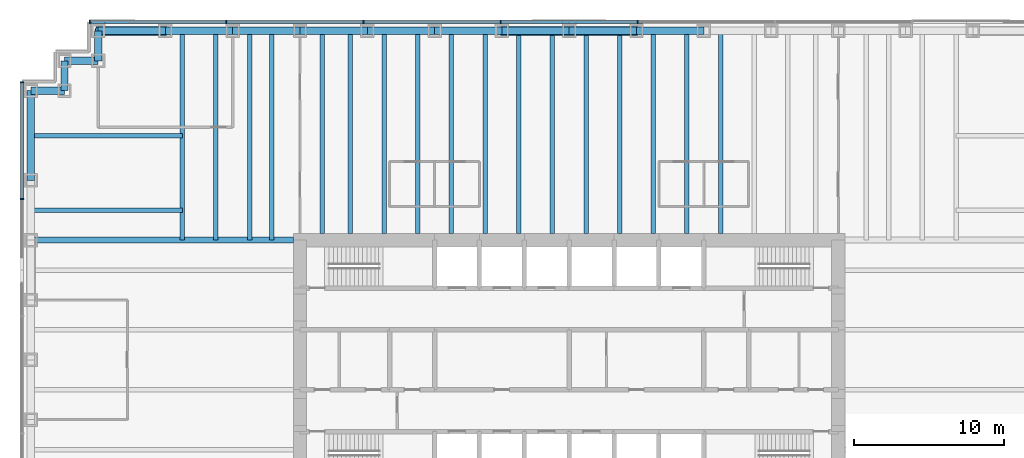
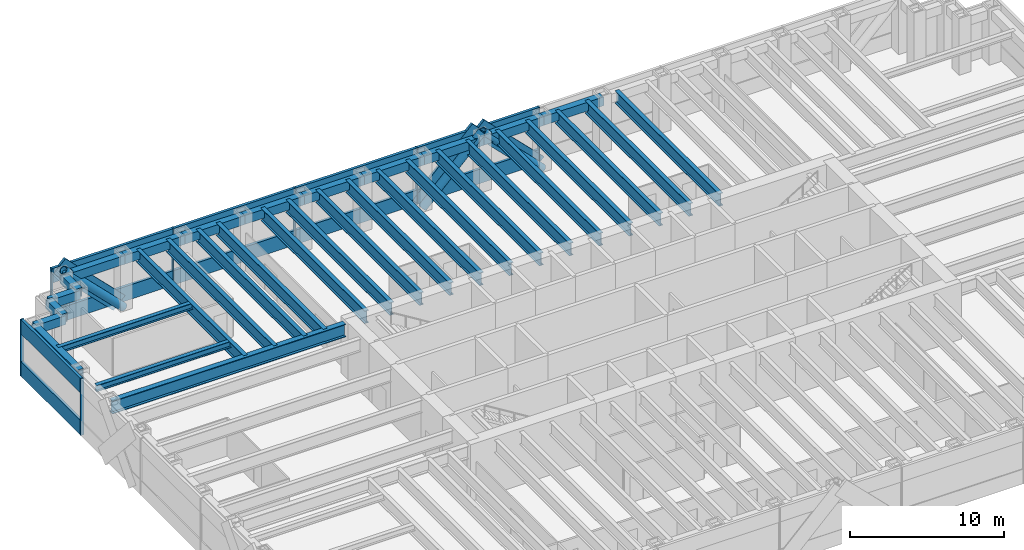
# One storey, part 5 of 13: 34 beams, 23 members, 2 elements without a shape of their own.
"""IFC4 building model written with IfcOpenShell, lengths in metres."""

from ifc_helpers import new_model, si_unit, direction, frame, origin, origin_2d, place, context, subcontext, project, spatial, rectangle, hollow_rectangle, hollow_circle, i_section, extrude, material, material_profile, profile_set, type_object, element, aggregate, save


model = new_model("IFC4")

# Units and contexts
model_context = context("Model", 3, precision=1e-05, world=origin(), true_north=direction((0.0, 1.0)))
body_context = subcontext(model_context, "Body", "Model", "MODEL_VIEW")
ifc_project = project(units=[si_unit("LENGTHUNIT", "METRE"), si_unit("AREAUNIT", "SQUARE_METRE"), si_unit("VOLUMEUNIT", "CUBIC_METRE"), si_unit("PLANEANGLEUNIT", "RADIAN"), si_unit("MASSUNIT", "GRAM", prefix="KILO")], contexts=[model_context])

# Site, building, storey
site_placement = place(None, origin())
site = spatial("IfcSite", under=ifc_project, at=site_placement, CompositionType="ELEMENT")
building_placement = place(site_placement, origin())
building = spatial("IfcBuilding", under=site, at=building_placement, Name="Rheinbord Bourse Tower", CompositionType="ELEMENT")
storey_placement = place(building_placement, frame((0.0, 0.0, 90.5)))
storey = spatial("IfcBuildingStorey", under=building, at=storey_placement, Name="L19", CompositionType="ELEMENT", Elevation=90.5)

# Beams
ifc_material_1 = material(Name="Steel S460M", Category="steel")
ifc_material_profile_1 = material_profile(ifc_material_1, hollow_rectangle(XDim=0.5, YDim=0.699951171875, WallThickness=0.0400390625, at=origin_2d()), Name="BOX 700x500x40")
ifc_profile_set_1 = profile_set([ifc_material_profile_1], Name="Steel S460M")
beam_type_1 = type_object("IfcBeamType", Name="BELT CHORD BOX 700x500x40", PredefinedType="SPANDREL", material=ifc_profile_set_1)
for number, where, z_axis, x_axis, name in (
    (1, (45.0, 46.0, 3.89990234375), (-1.0, 0.0, 0.0), (0.0, -1.0, 0.0), "Spandrel N-45-N-40.5 under L20"),
    (2, (40.5, 46.0, 3.89990234375), (-1.0, 0.0, 0.0), (0.0, -1.0, 0.0), "Spandrel N-40.5-N-36 under L20"),
    (3, (36.0, 46.0, 3.89990234375), (-1.0, 0.0, 0.0), (0.0, -1.0, 0.0), "Spandrel N-36-N-31.5 under L20"),
    (4, (31.5, 46.0, 3.89990234375), (-1.0, 0.0, 0.0), (0.0, -1.0, 0.0), "Spandrel N-31.5-N-27 under L20"),
    (5, (27.0, 46.0, 3.89990234375), (-1.0, 0.0, 0.0), (0.0, -1.0, 0.0), "Spandrel N-27-N-22.5 under L20"),
    (6, (22.5, 46.0, 3.89990234375), (-1.0, 0.0, 0.0), (0.0, -1.0, 0.0), "Spandrel N-22.5-N-18 under L20"),
    (7, (18.0, 46.0, 3.89990234375), (-1.0, 0.0, 0.0), (0.0, -1.0, 0.0), "Spandrel N-18-N-13.5 under L20"),
    (8, (13.5, 46.0, 3.89990234375), (-1.0, 0.0, 0.0), (0.0, -1.0, 0.0), "Spandrel N-13.5-N-9 under L20"),
    (9, (9.0, 46.0, 3.89990234375), (-1.0, 0.0, 0.0), (0.0, -1.0, 0.0), "Spandrel N-9-NW-E under L20"),
):
    element("IfcBeam", number, at=place(storey_placement, frame(where, z_axis=z_axis, x_axis=x_axis)), inside=storey, type_object=beam_type_1, Name=name, PredefinedType="SPANDREL", context=body_context, shape_type="SweptSolid", body=[
        extrude(hollow_rectangle(XDim=0.5, YDim=0.699951171875, WallThickness=0.0400390625, at=origin_2d()), origin(), (0.0, 0.0, 1.0), 4.5),
    ])
beam_1_placement = place(storey_placement, frame((4.5, 46.0, 3.89990234375), z_axis=(0.0, -1.0, 0.0), x_axis=(1.0, 0.0, 0.0)))
element("IfcBeam", 10, at=beam_1_placement, inside=storey, type_object=beam_type_1, Name="Spandrel NW-E-NW-D under L20", PredefinedType="SPANDREL", context=body_context, shape_type="SweptSolid", body=[
    extrude(hollow_rectangle(XDim=0.5, YDim=0.699951171875, WallThickness=0.0400390625, at=origin_2d()), origin(), (0.0, 0.0, 1.0), 2.0),
])
beam_2_placement = place(storey_placement, frame((4.5, 44.0, 3.89990234375), z_axis=(-1.0, 0.0, 0.0), x_axis=(0.0, -1.0, 0.0)))
element("IfcBeam", 11, at=beam_2_placement, inside=storey, type_object=beam_type_1, Name="Spandrel NW-D-NW-C under L20", PredefinedType="SPANDREL", context=body_context, shape_type="SweptSolid", body=[
    extrude(hollow_rectangle(XDim=0.5, YDim=0.699951171875, WallThickness=0.0400390625, at=origin_2d()), origin(), (0.0, 0.0, 1.0), 2.25),
])
beam_3_placement = place(storey_placement, frame((2.25, 44.0, 3.89990234375), z_axis=(0.0, -1.0, 0.0), x_axis=(1.0, 0.0, 0.0)))
element("IfcBeam", 12, at=beam_3_placement, inside=storey, type_object=beam_type_1, Name="Spandrel NW-C-NW-B under L20", PredefinedType="SPANDREL", context=body_context, shape_type="SweptSolid", body=[
    extrude(hollow_rectangle(XDim=0.5, YDim=0.699951171875, WallThickness=0.0400390625, at=origin_2d()), origin(), (0.0, 0.0, 1.0), 2.0),
])
beam_4_placement = place(storey_placement, frame((2.25, 42.0, 3.89990234375), z_axis=(-1.0, 0.0, 0.0), x_axis=(0.0, -1.0, 0.0)))
element("IfcBeam", 13, at=beam_4_placement, inside=storey, type_object=beam_type_1, Name="Spandrel NW-B-NW-A under L20", PredefinedType="SPANDREL", context=body_context, shape_type="SweptSolid", body=[
    extrude(hollow_rectangle(XDim=0.5, YDim=0.699951171875, WallThickness=0.0400390625, at=origin_2d()), origin(), (0.0, 0.0, 1.0), 2.25),
])
beam_5_placement = place(storey_placement, frame((0.0, 42.0, 3.89990234375), z_axis=(0.0, -1.0, 0.0), x_axis=(1.0, 0.0, 0.0)))
element("IfcBeam", 14, at=beam_5_placement, inside=storey, type_object=beam_type_1, Name="Spandrel NW-A-W-36 under L20", PredefinedType="SPANDREL", context=body_context, shape_type="SweptSolid", body=[
    extrude(hollow_rectangle(XDim=0.5, YDim=0.699951171875, WallThickness=0.0400390625, at=origin_2d()), origin(), (0.0, 0.0, 1.0), 6.0),
])

# Curtain wall, members
ifc_material_2 = material(Name="Dark glass and black aluminium", Category="aluminium")
curtain_wall_type = type_object("IfcCurtainWallType", Name="CW5 DARK GLASS CURTAIN WALL", PredefinedType="USERDEFINED", material=ifc_material_2)
curtain_wall_1_placement = place(storey_placement, origin())
curtain_wall_1 = element("IfcCurtainWall", 15, at=curtain_wall_1_placement, inside=storey, type_object=curtain_wall_type, Name="Curtain wall CW5 N L19", ObjectType="UNITISED CURTAIN WALL", PredefinedType="USERDEFINED")
ifc_material_3 = material(Name="Black anodised aluminium", Category="aluminium")
ifc_material_profile_2 = material_profile(ifc_material_3, rectangle(XDim=0.199951171875, YDim=1.259033203125, at=origin_2d()), Name="CW5 DIAGONAL MULLION 1259x200")
ifc_profile_set_2 = profile_set([ifc_material_profile_2], Name="Black anodised aluminium")
member_type_1 = type_object("IfcMemberType", Name="CW5 BLACK DIAGONAL MULLION", PredefinedType="USERDEFINED", material=ifc_profile_set_2)
member_1_placement = place(storey_placement, frame((40.5, 46.60009765625, 0.0), z_axis=(-0.707106781187, 0.0, 0.707106781187), x_axis=(0.0, -1.0, 0.0)))
member_1 = element("IfcMember", 16, at=member_1_placement, type_object=member_type_1, Name="CW5 diagonal mullion a", ObjectType="DIAGONAL MULLION", PredefinedType="USERDEFINED", context=body_context, shape_type="SweptSolid", body=[
    extrude(rectangle(XDim=0.199951171875, YDim=1.259033203125, at=origin_2d()), origin(), (0.0, 0.0, 1.0), 6.364013671875),
])
member_2_placement = place(storey_placement, frame((31.5, 46.60009765625, 0.0), z_axis=(0.707106781187, 0.0, 0.707106781187), x_axis=(0.0, 1.0, 0.0)))
member_2 = element("IfcMember", 17, at=member_2_placement, type_object=member_type_1, Name="CW5 diagonal mullion b", ObjectType="DIAGONAL MULLION", PredefinedType="USERDEFINED", context=body_context, shape_type="SweptSolid", body=[
    extrude(rectangle(XDim=0.199951171875, YDim=1.259033203125, at=origin_2d()), origin(), (0.0, 0.0, 1.0), 6.364013671875),
])
member_3_placement = place(storey_placement, frame((9.0, 46.60009765625, 0.0), z_axis=(-0.707106781187, 0.0, 0.707106781187), x_axis=(0.0, -1.0, 0.0)))
member_3 = element("IfcMember", 18, at=member_3_placement, type_object=member_type_1, Name="CW5 diagonal mullion c", ObjectType="DIAGONAL MULLION", PredefinedType="USERDEFINED", context=body_context, shape_type="SweptSolid", body=[
    extrude(rectangle(XDim=0.199951171875, YDim=1.259033203125, at=origin_2d()), origin(), (0.0, 0.0, 1.0), 6.364013671875),
])
ifc_material_4 = material(Name="Black anodised aluminium", Category="aluminium")
ifc_material_profile_3 = material_profile(ifc_material_4, rectangle(XDim=0.25, YDim=0.080078125, at=origin_2d()), Name="CW5 MULLION 80x250")
ifc_profile_set_3 = profile_set([ifc_material_profile_3], Name="Black anodised aluminium")
member_type_2 = type_object("IfcMemberType", Name="CW5 BLACK MULLION", PredefinedType="MULLION", material=ifc_profile_set_3)
member_4_placement = place(storey_placement, frame((40.585693359375, 46.60009765625, 0.0), z_axis=(0.0, 0.0, 1.0), x_axis=(0.0, -1.0, 0.0)))
member_4 = element("IfcMember", 19, at=member_4_placement, type_object=member_type_2, Name="CW5 mullion 4", PredefinedType="MULLION", context=body_context, shape_type="SweptSolid", body=[
    extrude(rectangle(XDim=0.25, YDim=0.080078125, at=origin_2d()), origin(), (0.0, 0.0, 1.0), 4.5),
])
member_5_placement = place(storey_placement, frame((31.414306640625, 46.60009765625, 0.0), z_axis=(0.0, 0.0, 1.0), x_axis=(0.0, -1.0, 0.0)))
member_5 = element("IfcMember", 20, at=member_5_placement, type_object=member_type_2, Name="CW5 mullion 5", PredefinedType="MULLION", context=body_context, shape_type="SweptSolid", body=[
    extrude(rectangle(XDim=0.25, YDim=0.080078125, at=origin_2d()), origin(), (0.0, 0.0, 1.0), 4.5),
])
member_6_placement = place(storey_placement, frame((22.242919921875, 46.60009765625, 0.0), z_axis=(0.0, 0.0, 1.0), x_axis=(0.0, -1.0, 0.0)))
member_6 = element("IfcMember", 21, at=member_6_placement, type_object=member_type_2, Name="CW5 mullion 6", PredefinedType="MULLION", context=body_context, shape_type="SweptSolid", body=[
    extrude(rectangle(XDim=0.25, YDim=0.080078125, at=origin_2d()), origin(), (0.0, 0.0, 1.0), 4.5),
])
member_7_placement = place(storey_placement, frame((13.071533203125, 46.60009765625, 0.0), z_axis=(0.0, 0.0, 1.0), x_axis=(0.0, -1.0, 0.0)))
member_7 = element("IfcMember", 22, at=member_7_placement, type_object=member_type_2, Name="CW5 mullion 7", PredefinedType="MULLION", context=body_context, shape_type="SweptSolid", body=[
    extrude(rectangle(XDim=0.25, YDim=0.080078125, at=origin_2d()), origin(), (0.0, 0.0, 1.0), 4.5),
])
member_8_placement = place(storey_placement, frame((3.93994140625, 46.60009765625, 0.0), z_axis=(0.0, 0.0, 1.0), x_axis=(0.0, -1.0, 0.0)))
member_8 = element("IfcMember", 23, at=member_8_placement, type_object=member_type_2, Name="CW5 mullion 8", PredefinedType="MULLION", context=body_context, shape_type="SweptSolid", body=[
    extrude(rectangle(XDim=0.25, YDim=0.080078125, at=origin_2d()), origin(), (0.0, 0.0, 1.0), 4.5),
])

curtain_wall_2_placement = place(storey_placement, origin())
curtain_wall_2 = element("IfcCurtainWall", 24, at=curtain_wall_2_placement, inside=storey, type_object=curtain_wall_type, Name="Curtain wall CW5 W L19", ObjectType="UNITISED CURTAIN WALL", PredefinedType="USERDEFINED")
member_9_placement = place(storey_placement, frame((-0.60009765625, 42.56005859375, 0.0), z_axis=(0.0, 0.0, 1.0), x_axis=(1.0, 0.0, 0.0)))
member_9 = element("IfcMember", 25, at=member_9_placement, type_object=member_type_2, Name="CW5 mullion 1", PredefinedType="MULLION", context=body_context, shape_type="SweptSolid", body=[
    extrude(rectangle(XDim=0.25, YDim=0.080078125, at=origin_2d()), origin(), (0.0, 0.0, 1.0), 4.5),
])
member_10_placement = place(storey_placement, frame((-0.60009765625, 34.760009765625, 0.0), z_axis=(0.0, 0.0, 1.0), x_axis=(1.0, 0.0, 0.0)))
member_10 = element("IfcMember", 26, at=member_10_placement, type_object=member_type_2, Name="CW5 mullion 2", PredefinedType="MULLION", context=body_context, shape_type="SweptSolid", body=[
    extrude(rectangle(XDim=0.25, YDim=0.080078125, at=origin_2d()), origin(), (0.0, 0.0, 1.0), 4.5),
])

# Member
ifc_material_5 = material(Name="Black anodised aluminium", Category="aluminium")
ifc_material_profile_4 = material_profile(ifc_material_5, rectangle(XDim=0.199951171875, YDim=1.14990234375, at=origin_2d()), Name="CW5 TRANSOM 1150x200")
ifc_profile_set_4 = profile_set([ifc_material_profile_4], Name="Black anodised aluminium")
member_type_3 = type_object("IfcMemberType", Name="CW5 BLACK TRANSOM", PredefinedType="USERDEFINED", material=ifc_profile_set_4)
member_11_placement = place(storey_placement, frame((40.545654296875, 46.60009765625, 0.574951171875), z_axis=(-1.0, 0.0, 0.0), x_axis=(0.0, -1.0, 0.0)))
member_11 = element("IfcMember", 27, at=member_11_placement, type_object=member_type_3, Name="CW5 transom 4.1", ObjectType="TRANSOM", PredefinedType="USERDEFINED", context=body_context, shape_type="SweptSolid", body=[
    extrude(rectangle(XDim=0.199951171875, YDim=1.14990234375, at=origin_2d()), origin(), (0.0, 0.0, 1.0), 9.09130859375),
])

member_12_placement = place(storey_placement, frame((40.545654296875, 46.60009765625, 3.925048828125), z_axis=(-1.0, 0.0, 0.0), x_axis=(0.0, -1.0, 0.0)))
member_12 = element("IfcMember", 28, at=member_12_placement, type_object=member_type_3, Name="CW5 transom 4.2", ObjectType="TRANSOM", PredefinedType="USERDEFINED", context=body_context, shape_type="SweptSolid", body=[
    extrude(rectangle(XDim=0.199951171875, YDim=1.14990234375, at=origin_2d()), origin(), (0.0, 0.0, 1.0), 9.09130859375),
])

member_13_placement = place(storey_placement, frame((31.374267578125, 46.60009765625, 0.574951171875), z_axis=(-1.0, 0.0, 0.0), x_axis=(0.0, -1.0, 0.0)))
member_13 = element("IfcMember", 29, at=member_13_placement, type_object=member_type_3, Name="CW5 transom 5.1", ObjectType="TRANSOM", PredefinedType="USERDEFINED", context=body_context, shape_type="SweptSolid", body=[
    extrude(rectangle(XDim=0.199951171875, YDim=1.14990234375, at=origin_2d()), origin(), (0.0, 0.0, 1.0), 9.09130859375),
])

member_14_placement = place(storey_placement, frame((31.374267578125, 46.60009765625, 3.925048828125), z_axis=(-1.0, 0.0, 0.0), x_axis=(0.0, -1.0, 0.0)))
member_14 = element("IfcMember", 30, at=member_14_placement, type_object=member_type_3, Name="CW5 transom 5.2", ObjectType="TRANSOM", PredefinedType="USERDEFINED", context=body_context, shape_type="SweptSolid", body=[
    extrude(rectangle(XDim=0.199951171875, YDim=1.14990234375, at=origin_2d()), origin(), (0.0, 0.0, 1.0), 9.09130859375),
])

member_15_placement = place(storey_placement, frame((22.202880859375, 46.60009765625, 0.574951171875), z_axis=(-1.0, 0.0, 0.0), x_axis=(0.0, -1.0, 0.0)))
member_15 = element("IfcMember", 31, at=member_15_placement, type_object=member_type_3, Name="CW5 transom 6.1", ObjectType="TRANSOM", PredefinedType="USERDEFINED", context=body_context, shape_type="SweptSolid", body=[
    extrude(rectangle(XDim=0.199951171875, YDim=1.14990234375, at=origin_2d()), origin(), (0.0, 0.0, 1.0), 9.091552734375),
])

member_16_placement = place(storey_placement, frame((22.202880859375, 46.60009765625, 3.925048828125), z_axis=(-1.0, 0.0, 0.0), x_axis=(0.0, -1.0, 0.0)))
member_16 = element("IfcMember", 32, at=member_16_placement, type_object=member_type_3, Name="CW5 transom 6.2", ObjectType="TRANSOM", PredefinedType="USERDEFINED", context=body_context, shape_type="SweptSolid", body=[
    extrude(rectangle(XDim=0.199951171875, YDim=1.14990234375, at=origin_2d()), origin(), (0.0, 0.0, 1.0), 9.091552734375),
])

member_17_placement = place(storey_placement, frame((13.031494140625, 46.60009765625, 0.574951171875), z_axis=(-1.0, 0.0, 0.0), x_axis=(0.0, -1.0, 0.0)))
member_17 = element("IfcMember", 33, at=member_17_placement, type_object=member_type_3, Name="CW5 transom 7.1", ObjectType="TRANSOM", PredefinedType="USERDEFINED", context=body_context, shape_type="SweptSolid", body=[
    extrude(rectangle(XDim=0.199951171875, YDim=1.14990234375, at=origin_2d()), origin(), (0.0, 0.0, 1.0), 9.051513671875),
])

member_18_placement = place(storey_placement, frame((13.031494140625, 46.60009765625, 3.925048828125), z_axis=(-1.0, 0.0, 0.0), x_axis=(0.0, -1.0, 0.0)))
member_18 = element("IfcMember", 34, at=member_18_placement, type_object=member_type_3, Name="CW5 transom 7.2", ObjectType="TRANSOM", PredefinedType="USERDEFINED", context=body_context, shape_type="SweptSolid", body=[
    extrude(rectangle(XDim=0.199951171875, YDim=1.14990234375, at=origin_2d()), origin(), (0.0, 0.0, 1.0), 9.051513671875),
])

aggregate(curtain_wall_1, [member_4, member_5, member_6, member_7, member_8, member_11, member_12, member_13, member_14, member_15, member_16, member_17, member_18, member_1, member_2, member_3])

member_19_placement = place(storey_placement, frame((-0.60009765625, 42.52001953125, 0.574951171875), z_axis=(0.0, -1.0, 0.0), x_axis=(1.0, 0.0, 0.0)))
member_19 = element("IfcMember", 35, at=member_19_placement, type_object=member_type_3, Name="CW5 transom 1.1", ObjectType="TRANSOM", PredefinedType="USERDEFINED", context=body_context, shape_type="SweptSolid", body=[
    extrude(rectangle(XDim=0.199951171875, YDim=1.14990234375, at=origin_2d()), origin(), (0.0, 0.0, 1.0), 7.719970703125),
])

member_20_placement = place(storey_placement, frame((-0.60009765625, 42.52001953125, 3.925048828125), z_axis=(0.0, -1.0, 0.0), x_axis=(1.0, 0.0, 0.0)))
member_20 = element("IfcMember", 36, at=member_20_placement, type_object=member_type_3, Name="CW5 transom 1.2", ObjectType="TRANSOM", PredefinedType="USERDEFINED", context=body_context, shape_type="SweptSolid", body=[
    extrude(rectangle(XDim=0.199951171875, YDim=1.14990234375, at=origin_2d()), origin(), (0.0, 0.0, 1.0), 7.719970703125),
])

aggregate(curtain_wall_2, [member_9, member_10, member_19, member_20])

# Beams
ifc_material_6 = material(Name="Steel S460", Category="steel")
ifc_material_profile_5 = material_profile(ifc_material_6, i_section(OverallWidth=0.302001953125, OverallDepth=1.008056640625, WebThickness=0.02099609375, FlangeThickness=0.0400390625, at=origin_2d()), Name="HEM 1000")
ifc_profile_set_5 = profile_set([ifc_material_profile_5], Name="Steel S460")
beam_type_2 = type_object("IfcBeamType", Name="FLOOR BEAM HEM 1000", PredefinedType="BEAM", material=ifc_profile_set_5)
for number, where, z_axis, x_axis, name in (
    (37, (10.125, 46.0, 3.74609375), (0.0, -1.0, 0.0), (1.0, 0.0, 0.0), "Floor beam N-9a L20"),
    (38, (12.375, 46.0, 3.74609375), (0.0, -1.0, 0.0), (1.0, 0.0, 0.0), "Floor beam N-9b L20"),
    (39, (14.625, 46.0, 3.74609375), (0.0, -1.0, 0.0), (1.0, 0.0, 0.0), "Floor beam N-13.5a L20"),
    (40, (16.125, 46.0, 3.74609375), (0.0, -1.0, 0.0), (1.0, 0.0, 0.0), "Floor beam N-13.5b L20"),
):
    element("IfcBeam", number, at=place(storey_placement, frame(where, z_axis=z_axis, x_axis=x_axis)), inside=storey, type_object=beam_type_2, Name=name, PredefinedType="BEAM", context=body_context, shape_type="SweptSolid", body=[
        extrude(i_section(OverallWidth=0.302001953125, OverallDepth=1.008056640625, WebThickness=0.02099609375, FlangeThickness=0.0400390625, at=origin_2d()), origin(), (0.0, 0.0, 1.0), 14.0),
    ])
for number, where, z_axis, x_axis, name in (
    (41, (19.5, 46.0, 3.74609375), (0.0, -1.0, 0.0), (1.0, 0.0, 0.0), "Floor beam N-18a L20"),
    (42, (21.375, 46.0, 3.74609375), (0.0, -1.0, 0.0), (1.0, 0.0, 0.0), "Floor beam N-18b L20"),
    (43, (23.625, 46.0, 3.74609375), (0.0, -1.0, 0.0), (1.0, 0.0, 0.0), "Floor beam N-22.5a L20"),
    (44, (25.875, 46.0, 3.74609375), (0.0, -1.0, 0.0), (1.0, 0.0, 0.0), "Floor beam N-22.5b L20"),
    (45, (28.125, 46.0, 3.74609375), (0.0, -1.0, 0.0), (1.0, 0.0, 0.0), "Floor beam N-27a L20"),
    (46, (30.375, 46.0, 3.74609375), (0.0, -1.0, 0.0), (1.0, 0.0, 0.0), "Floor beam N-27b L20"),
    (47, (32.625, 46.0, 3.74609375), (0.0, -1.0, 0.0), (1.0, 0.0, 0.0), "Floor beam N-31.5a L20"),
    (48, (34.875, 46.0, 3.74609375), (0.0, -1.0, 0.0), (1.0, 0.0, 0.0), "Floor beam N-31.5b L20"),
    (49, (37.125, 46.0, 3.74609375), (0.0, -1.0, 0.0), (1.0, 0.0, 0.0), "Floor beam N-36a L20"),
    (50, (39.375, 46.0, 3.74609375), (0.0, -1.0, 0.0), (1.0, 0.0, 0.0), "Floor beam N-36b L20"),
    (51, (41.625, 46.0, 3.74609375), (0.0, -1.0, 0.0), (1.0, 0.0, 0.0), "Floor beam N-40.5a L20"),
    (52, (43.875, 46.0, 3.74609375), (0.0, -1.0, 0.0), (1.0, 0.0, 0.0), "Floor beam N-40.5b L20"),
    (53, (46.125, 46.0, 3.74609375), (0.0, -1.0, 0.0), (1.0, 0.0, 0.0), "Floor beam N-45a L20"),
):
    element("IfcBeam", number, at=place(storey_placement, frame(where, z_axis=z_axis, x_axis=x_axis)), inside=storey, type_object=beam_type_2, Name=name, PredefinedType="BEAM", context=body_context, shape_type="SweptSolid", body=[
        extrude(i_section(OverallWidth=0.302001953125, OverallDepth=1.008056640625, WebThickness=0.02099609375, FlangeThickness=0.0400390625, at=origin_2d()), origin(), (0.0, 0.0, 1.0), 13.550048828125),
    ])
ifc_material_7 = material(Name="Steel S460", Category="steel")
ifc_material_profile_6 = material_profile(ifc_material_7, i_section(OverallWidth=0.404052734375, OverallDepth=1.02001953125, WebThickness=0.025390625, FlangeThickness=0.0458984375, at=origin_2d()), Name="HL 1000 x 483")
ifc_profile_set_6 = profile_set([ifc_material_profile_6], Name="Steel S460")
beam_type_3 = type_object("IfcBeamType", Name="GIRDER HL 1000 x 483", PredefinedType="BEAM", material=ifc_profile_set_6)
beam_6_placement = place(storey_placement, frame((0.0, 32.0, 3.739990234375), z_axis=(1.0, 0.0, 0.0), x_axis=(0.0, 1.0, 0.0)))
element("IfcBeam", 54, at=beam_6_placement, inside=storey, type_object=beam_type_3, Name="Girder west 32 L20", PredefinedType="BEAM", context=body_context, shape_type="SweptSolid", body=[
    extrude(i_section(OverallWidth=0.404052734375, OverallDepth=1.02001953125, WebThickness=0.025390625, FlangeThickness=0.0458984375, at=origin_2d()), origin(), (0.0, 0.0, 1.0), 17.550048828125),
])

# Members
ifc_material_8 = material(Name="Steel S460", Category="steel")
ifc_material_profile_7 = material_profile(ifc_material_8, hollow_circle(Radius=0.304931640625, WallThickness=0.050048828125, at=origin_2d()), Name="CHS 610x50")
ifc_profile_set_7 = profile_set([ifc_material_profile_7], Name="Steel S460")
member_type_4 = type_object("IfcMemberType", Name="MEGABRACE CHS 610x50", PredefinedType="BRACE", material=ifc_profile_set_7)
for number, where, z_axis, x_axis, name in (
    (55, (40.5, 46.0, 0.0), (-0.707106781187, 0.0, 0.707106781187), (0.0, -1.0, 0.0), "Megabrace N face line a L19"),
    (56, (31.5, 46.0, 0.0), (0.707106781187, 0.0, 0.707106781187), (0.0, 1.0, 0.0), "Megabrace N face line b L19"),
    (57, (9.0, 46.0, 0.0), (-0.707106781187, 0.0, 0.707106781187), (0.0, -1.0, 0.0), "Megabrace N face line c L19"),
):
    element("IfcMember", number, at=place(storey_placement, frame(where, z_axis=z_axis, x_axis=x_axis)), inside=storey, type_object=member_type_4, Name=name, PredefinedType="BRACE", context=body_context, shape_type="SweptSolid", body=[
        extrude(hollow_circle(Radius=0.304931640625, WallThickness=0.050048828125, at=origin_2d()), origin(), (0.0, 0.0, 1.0), 6.364013671875),
    ])

# Beams
ifc_material_9 = material(Name="Steel S460", Category="steel")
ifc_material_profile_8 = material_profile(ifc_material_9, i_section(OverallWidth=0.300048828125, OverallDepth=0.5, WebThickness=0.014404296875, FlangeThickness=0.028076171875, at=origin_2d()), Name="HEB 500")
ifc_profile_set_8 = profile_set([ifc_material_profile_8], Name="Steel S460")
beam_type_4 = type_object("IfcBeamType", Name="TIE BEAM HEB 500", PredefinedType="JOIST", material=ifc_profile_set_8)
for number, where, z_axis, x_axis, name in (
    (58, (0.0, 34.0, 4.0), (1.0, 0.0, 0.0), (0.0, 1.0, 0.0), "Tie west 34 L20"),
    (59, (0.0, 39.0, 4.0), (1.0, 0.0, 0.0), (0.0, 1.0, 0.0), "Tie west 39 L20"),
):
    element("IfcBeam", number, at=place(storey_placement, frame(where, z_axis=z_axis, x_axis=x_axis)), inside=storey, type_object=beam_type_4, Name=name, PredefinedType="JOIST", context=body_context, shape_type="SweptSolid", body=[
        extrude(i_section(OverallWidth=0.300048828125, OverallDepth=0.5, WebThickness=0.014404296875, FlangeThickness=0.028076171875, at=origin_2d()), origin(), (0.0, 0.0, 1.0), 10.125),
    ])

save(model, "model.ifc")
